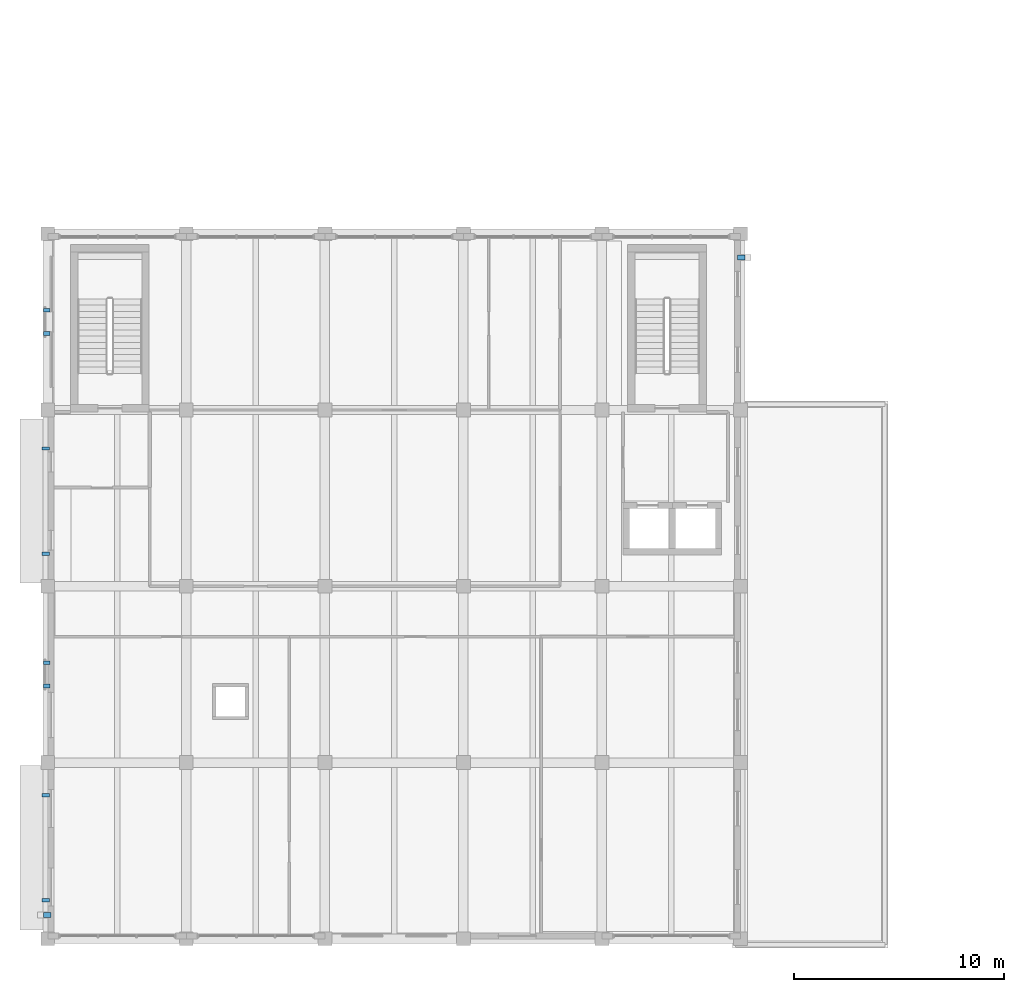
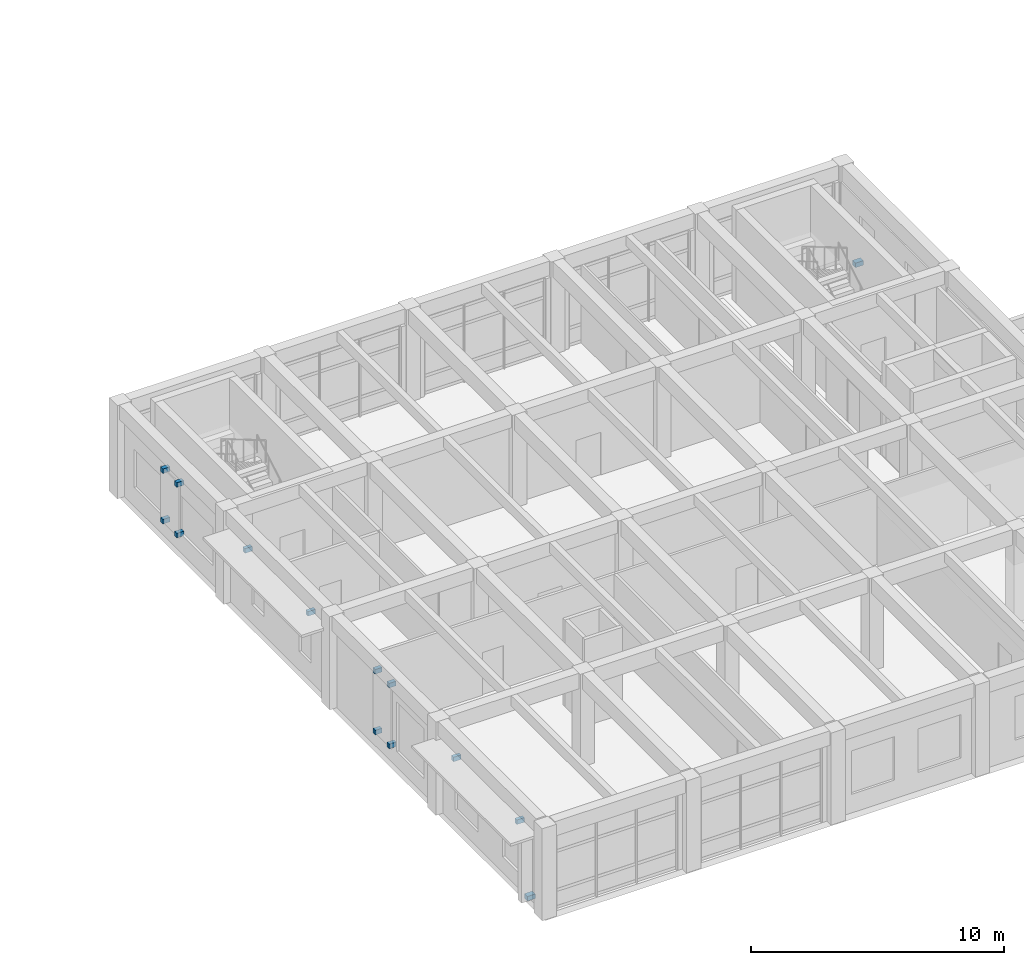
# One storey, part 37 of 50: 14 discrete accessories.
"""IFC4 building model written with IfcOpenShell, lengths in metres."""

from ifc_helpers import new_model, si_unit, direction, frame, origin, origin_2d, place, context, subcontext, project, spatial, rectangle, extrude, material, type_object, element, save


model = new_model("IFC4")

# Units and contexts
model_context = context("Model", 3, precision=1e-05, world=origin(), true_north=direction((0.0, 1.0)))
body_context = subcontext(model_context, "Body", "Model", "MODEL_VIEW")
ifc_project = project(units=[si_unit("LENGTHUNIT", "METRE"), si_unit("AREAUNIT", "SQUARE_METRE"), si_unit("VOLUMEUNIT", "CUBIC_METRE"), si_unit("PLANEANGLEUNIT", "RADIAN"), si_unit("MASSUNIT", "GRAM", prefix="KILO")], contexts=[model_context])

# Site, building, storey
site_placement = place(None, origin())
site = spatial("IfcSite", under=ifc_project, at=site_placement, CompositionType="ELEMENT")
building_placement = place(site_placement, origin())
building = spatial("IfcBuilding", under=site, at=building_placement, Name="Kolvaren Faculty of Natural Sciences", CompositionType="ELEMENT")
storey_placement = place(building_placement, frame((0.0, 0.0, 15.0)))
storey = spatial("IfcBuildingStorey", under=building, at=storey_placement, Name="L03", CompositionType="ELEMENT", Elevation=15.0)

# Discrete accessories
ifc_material = material(Name="Structural steel EN 10025-2 S355J2", Category="steel")
discrete_accessory_type = type_object("IfcDiscreteAccessoryType", Name="FacadeSupportBracket_260", PredefinedType="BRACKET", material=ifc_material)
discrete_accessory_1_placement = place(storey_placement, frame((6.760009765625, 9.72998046875, 0.10986328125), z_axis=(0.0, 0.0, 1.0), x_axis=(0.0, 1.0, 0.0)))
element("IfcDiscreteAccessory", 1, at=discrete_accessory_1_placement, inside=storey, type_object=discrete_accessory_type, Name="L03 facade relief pier anchor bracket 5", PredefinedType="BRACKET", context=body_context, shape_type="SweptSolid", body=[
    extrude(rectangle(XDim=0.239990234375, YDim=0.360107421875, at=origin_2d()), origin(), (0.0, 0.0, 1.0), 0.219970703125),
])
for number, where, z_axis, x_axis, name in (
    (2, (6.699951171875, 10.4375, 3.365234375), (0.0, 0.0, 1.0), (0.0, 1.0, 0.0), "L03 chhajja hood steel bracket"),
    (3, (6.699951171875, 15.4423828125, 3.365234375), (0.0, 0.0, 1.0), (0.0, 1.0, 0.0), "L03 chhajja hood steel bracket"),
):
    element("IfcDiscreteAccessory", number, at=place(storey_placement, frame(where, z_axis=z_axis, x_axis=x_axis)), inside=storey, type_object=discrete_accessory_type, Name=name, PredefinedType="BRACKET", context=body_context, shape_type="SweptSolid", body=[
        extrude(rectangle(XDim=0.159912109375, YDim=0.340087890625, at=origin_2d()), origin(), (0.0, 0.0, 1.0), 0.219970703125),
    ])
for number, where, z_axis, x_axis, name in (
    (4, (6.739990234375, 20.64892578125, 0.81982421875), (0.0, 0.0, 1.0), (0.0, 1.0, 0.0), "L03 jali screen wall bracket"),
    (5, (6.739990234375, 21.7509765625, 0.81982421875), (0.0, 0.0, 1.0), (0.0, 1.0, 0.0), "L03 jali screen wall bracket"),
    (6, (6.739990234375, 20.64892578125, 3.76025390625), (0.0, 0.0, 1.0), (0.0, 1.0, 0.0), "L03 jali screen wall bracket"),
    (7, (6.739990234375, 21.7509765625, 3.76025390625), (0.0, 0.0, 1.0), (0.0, 1.0, 0.0), "L03 jali screen wall bracket"),
):
    element("IfcDiscreteAccessory", number, at=place(storey_placement, frame(where, z_axis=z_axis, x_axis=x_axis)), inside=storey, type_object=discrete_accessory_type, Name=name, PredefinedType="BRACKET", context=body_context, shape_type="SweptSolid", body=[
        extrude(rectangle(XDim=0.179931640625, YDim=0.320068359375, at=origin_2d()), origin(), (0.0, 0.0, 1.0), 0.219970703125),
    ])
for number, where, z_axis, x_axis, name in (
    (8, (6.699951171875, 26.95751953125, 3.4150390625), (0.0, 0.0, 1.0), (0.0, 1.0, 0.0), "L03 chhajja hood steel bracket"),
    (9, (6.699951171875, 31.96240234375, 3.4150390625), (0.0, 0.0, 1.0), (0.0, 1.0, 0.0), "L03 chhajja hood steel bracket"),
):
    element("IfcDiscreteAccessory", number, at=place(storey_placement, frame(where, z_axis=z_axis, x_axis=x_axis)), inside=storey, type_object=discrete_accessory_type, Name=name, PredefinedType="BRACKET", context=body_context, shape_type="SweptSolid", body=[
        extrude(rectangle(XDim=0.159912109375, YDim=0.340087890625, at=origin_2d()), origin(), (0.0, 0.0, 1.0), 0.219970703125),
    ])
for number, where, z_axis, x_axis, name in (
    (10, (6.739990234375, 37.448974609375, 0.81982421875), (0.0, 0.0, 1.0), (0.0, 1.0, 0.0), "L03 jali screen wall bracket"),
    (11, (6.739990234375, 38.551025390625, 0.81982421875), (0.0, 0.0, 1.0), (0.0, 1.0, 0.0), "L03 jali screen wall bracket"),
    (12, (6.739990234375, 37.448974609375, 3.26025390625), (0.0, 0.0, 1.0), (0.0, 1.0, 0.0), "L03 jali screen wall bracket"),
    (13, (6.739990234375, 38.551025390625, 3.26025390625), (0.0, 0.0, 1.0), (0.0, 1.0, 0.0), "L03 jali screen wall bracket"),
):
    element("IfcDiscreteAccessory", number, at=place(storey_placement, frame(where, z_axis=z_axis, x_axis=x_axis)), inside=storey, type_object=discrete_accessory_type, Name=name, PredefinedType="BRACKET", context=body_context, shape_type="SweptSolid", body=[
        extrude(rectangle(XDim=0.179931640625, YDim=0.320068359375, at=origin_2d()), origin(), (0.0, 0.0, 1.0), 0.219970703125),
    ])
discrete_accessory_2_placement = place(storey_placement, frame((39.840087890625, 41.070068359375, 0.10986328125), z_axis=(0.0, 0.0, 1.0), x_axis=(0.0, -1.0, 0.0)))
element("IfcDiscreteAccessory", 14, at=discrete_accessory_2_placement, inside=storey, type_object=discrete_accessory_type, Name="L03 facade relief pier anchor bracket 6", PredefinedType="BRACKET", context=body_context, shape_type="SweptSolid", body=[
    extrude(rectangle(XDim=0.239990234375, YDim=0.360107421875, at=origin_2d()), origin(), (0.0, 0.0, 1.0), 0.219970703125),
])

save(model, "model.ifc")
